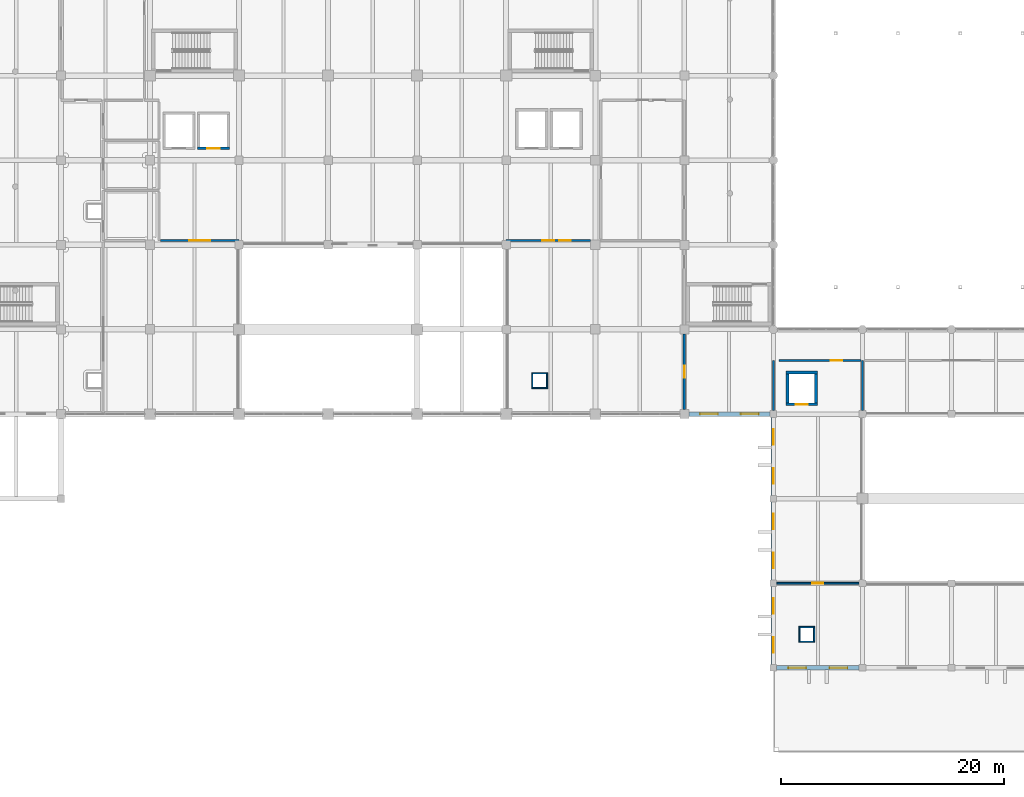
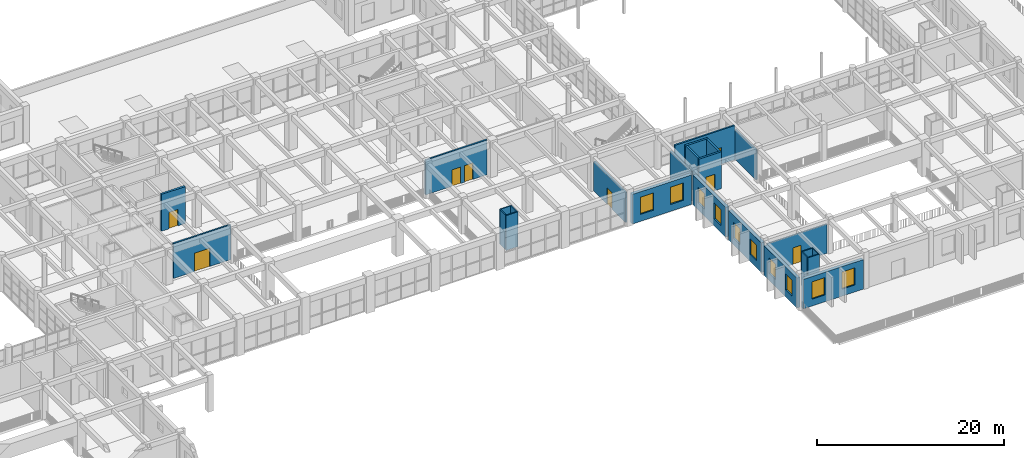
# One storey, part 74 of 101: 25 walls, 10 windows, 8 doors, 18 openings.
"""IFC4 building model written with IfcOpenShell, lengths in metres."""

from ifc_helpers import new_model, si_unit, direction, frame, frame_2d, origin, place, context, subcontext, project, spatial, rectangle, extrude, material, layer, layer_set, type_object, element, fill, save


model = new_model("IFC4")

# Units and contexts
model_context = context("Model", 3, precision=1e-05, world=origin(), true_north=direction((0.0, 1.0)))
body_context = subcontext(model_context, "Body", "Model", "MODEL_VIEW")
ifc_project = project(units=[si_unit("LENGTHUNIT", "METRE"), si_unit("AREAUNIT", "SQUARE_METRE"), si_unit("VOLUMEUNIT", "CUBIC_METRE"), si_unit("PLANEANGLEUNIT", "RADIAN"), si_unit("MASSUNIT", "GRAM", prefix="KILO")], contexts=[model_context])

# Site, building, storey
site_placement = place(None, origin())
site = spatial("IfcSite", under=ifc_project, at=site_placement, CompositionType="ELEMENT")
building_placement = place(site_placement, origin())
building = spatial("IfcBuilding", under=site, at=building_placement, Name="Zantavel Square City Hall", CompositionType="ELEMENT")
storey_placement = place(building_placement, frame((0.0, 0.0, 5.39990234375)))
storey = spatial("IfcBuildingStorey", under=building, at=storey_placement, Name="L02", CompositionType="ELEMENT", Elevation=5.39990234375)

# Wall, openings, windows
ifc_material_1 = material(Name="Cantera volcanic tuff stone", Category="masonry")
ifc_layer_1 = layer(ifc_material_1, 0.39990234375, Name="Cantera volcanic tuff stone")
ifc_layer_set_1 = layer_set([ifc_layer_1], Name="Cantera volcanic tuff stone")
wall_type_1 = type_object("IfcWallType", Name="Civic Pavilion Cantera Ashlar Wall 400mm", PredefinedType="STANDARD", material=ifc_layer_set_1)
wall_1_placement = place(storey_placement, frame((127.699951171875, 7.60009765625, 0.0), z_axis=(0.0, 0.0, 1.0), x_axis=(-1.0, 0.0, 0.0)))
wall_1 = element("IfcWall", 1, at=wall_1_placement, inside=storey, type_object=wall_type_1, Name="L02 Exterior Wall EW-L02-066", PredefinedType="STANDARD", context=body_context, shape_type="SweptSolid", body=[
    extrude(rectangle(XDim=7.39990234375, YDim=0.39990234375, at=frame_2d((3.699951171875, 0.0))), origin(), (0.0, 0.0, 1.0), 3.85009765625),
])
opening_1_placement = place(wall_1_placement, frame((1.050048828125, 0.0, 0.89990234375)))
opening_1 = element("IfcOpeningElement", 2, at=opening_1_placement, cuts=wall_1, Name="Opening W-247", PredefinedType="OPENING", context=body_context, shape_type="SweptSolid", body=[
    extrude(rectangle(XDim=1.60009765625, YDim=2.25, at=frame_2d((0.800048828125, 1.125))), frame((0.0, 0.2099609375, 0.0), z_axis=(0.0, -1.0, 0.0), x_axis=(1.0, 0.0, 0.0)), (0.0, 0.0, 1.0), 0.419921875),
])
opening_2_placement = place(wall_1_placement, frame((4.75, 0.0, 0.89990234375)))
opening_2 = element("IfcOpeningElement", 3, at=opening_2_placement, cuts=wall_1, Name="Opening W-248", PredefinedType="OPENING", context=body_context, shape_type="SweptSolid", body=[
    extrude(rectangle(XDim=1.60009765625, YDim=2.25, at=frame_2d((0.800048828125, 1.125))), frame((0.0, 0.2099609375, 0.0), z_axis=(0.0, -1.0, 0.0), x_axis=(1.0, 0.0, 0.0)), (0.0, 0.0, 1.0), 0.419921875),
])
ifc_material_2 = material(Name="Tempered safety glass low-E double glazing", Category="glass")
window_type_1 = type_object("IfcWindowType", Name="Window Mezzanine Civic 1600x2250", PartitioningType="DOUBLE_PANEL_VERTICAL", PredefinedType="WINDOW", material=ifc_material_2)
window_1_placement = place(opening_1_placement, origin())
window_1 = element("IfcWindow", 4, at=window_1_placement, inside=storey, type_object=window_type_1, Name="L02 Window W-247", OverallHeight=2.25, OverallWidth=1.60009765625, PartitioningType="DOUBLE_PANEL_VERTICAL", PredefinedType="WINDOW", context=body_context, shape_type="SweptSolid", body=[
    extrude(rectangle(XDim=1.60009765625, YDim=2.25, at=frame_2d((0.800048828125, 1.125))), frame((0.0, 0.030029296875, 0.0), z_axis=(0.0, -1.0, 0.0), x_axis=(1.0, 0.0, 0.0)), (0.0, 0.0, 1.0), 0.06005859375),
])
fill(opening_1, window_1)
window_2_placement = place(opening_2_placement, origin())
window_2 = element("IfcWindow", 5, at=window_2_placement, inside=storey, type_object=window_type_1, Name="L02 Window W-248", OverallHeight=2.25, OverallWidth=1.60009765625, PartitioningType="DOUBLE_PANEL_VERTICAL", PredefinedType="WINDOW", context=body_context, shape_type="SweptSolid", body=[
    extrude(rectangle(XDim=1.60009765625, YDim=2.25, at=frame_2d((0.800048828125, 1.125))), frame((0.0, 0.030029296875, 0.0), z_axis=(0.0, -1.0, 0.0), x_axis=(1.0, 0.0, 0.0)), (0.0, 0.0, 1.0), 0.06005859375),
])
fill(opening_2, window_2)

wall_2_placement = place(storey_placement, frame((120.0, 7.89990234375, 0.0), z_axis=(0.0, 0.0, 1.0), x_axis=(0.0, 1.0, 0.0)))
wall_2 = element("IfcWall", 6, at=wall_2_placement, inside=storey, type_object=wall_type_1, Name="L02 Exterior Wall EW-L02-067", PredefinedType="STANDARD", context=body_context, shape_type="SweptSolid", body=[
    extrude(rectangle(XDim=7.0, YDim=0.39990234375, at=frame_2d((3.5, 0.0))), origin(), (0.0, 0.0, 1.0), 3.8701171875),
])
opening_3_placement = place(wall_2_placement, frame((1.050048828125, 0.0, 0.89990234375)))
opening_3 = element("IfcOpeningElement", 7, at=opening_3_placement, cuts=wall_2, Name="Opening W-249", PredefinedType="OPENING", context=body_context, shape_type="SweptSolid", body=[
    extrude(rectangle(XDim=1.39990234375, YDim=2.050048828125, at=frame_2d((0.699951171875, 1.02490234375))), frame((0.0, 0.2099609375, 0.0), z_axis=(0.0, -1.0, 0.0), x_axis=(1.0, 0.0, 0.0)), (0.0, 0.0, 1.0), 0.419921875),
])
opening_4_placement = place(wall_2_placement, frame((4.550048828125, 0.0, 0.89990234375)))
opening_4 = element("IfcOpeningElement", 8, at=opening_4_placement, cuts=wall_2, Name="Opening W-250", PredefinedType="OPENING", context=body_context, shape_type="SweptSolid", body=[
    extrude(rectangle(XDim=1.39990234375, YDim=2.050048828125, at=frame_2d((0.699951171875, 1.02490234375))), frame((0.0, 0.2099609375, 0.0), z_axis=(0.0, -1.0, 0.0), x_axis=(1.0, 0.0, 0.0)), (0.0, 0.0, 1.0), 0.419921875),
])
window_type_2 = type_object("IfcWindowType", Name="Window Mezzanine Courtyard 1400x2050", PartitioningType="DOUBLE_PANEL_VERTICAL", PredefinedType="WINDOW", material=ifc_material_2)
window_3_placement = place(opening_3_placement, origin())
window_3 = element("IfcWindow", 9, at=window_3_placement, inside=storey, type_object=window_type_2, Name="L02 Window W-249", OverallHeight=2.050048828125, OverallWidth=1.39990234375, PartitioningType="DOUBLE_PANEL_VERTICAL", PredefinedType="WINDOW", context=body_context, shape_type="SweptSolid", body=[
    extrude(rectangle(XDim=1.39990234375, YDim=2.050048828125, at=frame_2d((0.699951171875, 1.02490234375))), frame((0.0, 0.030029296875, 0.0), z_axis=(0.0, -1.0, 0.0), x_axis=(1.0, 0.0, 0.0)), (0.0, 0.0, 1.0), 0.06005859375),
])
fill(opening_3, window_3)
window_4_placement = place(opening_4_placement, origin())
window_4 = element("IfcWindow", 10, at=window_4_placement, inside=storey, type_object=window_type_2, Name="L02 Window W-250", OverallHeight=2.050048828125, OverallWidth=1.39990234375, PartitioningType="DOUBLE_PANEL_VERTICAL", PredefinedType="WINDOW", context=body_context, shape_type="SweptSolid", body=[
    extrude(rectangle(XDim=1.39990234375, YDim=2.050048828125, at=frame_2d((0.699951171875, 1.02490234375))), frame((0.0, 0.030029296875, 0.0), z_axis=(0.0, -1.0, 0.0), x_axis=(1.0, 0.0, 0.0)), (0.0, 0.0, 1.0), 0.06005859375),
])
fill(opening_4, window_4)

wall_3_placement = place(storey_placement, frame((120.0, 15.5, 0.0), z_axis=(0.0, 0.0, 1.0), x_axis=(0.0, 1.0, 0.0)))
wall_3 = element("IfcWall", 11, at=wall_3_placement, inside=storey, type_object=wall_type_1, Name="L02 Exterior Wall EW-L02-068", PredefinedType="STANDARD", context=body_context, shape_type="SweptSolid", body=[
    extrude(rectangle(XDim=7.0, YDim=0.39990234375, at=frame_2d((3.5, 0.0))), origin(), (0.0, 0.0, 1.0), 3.8701171875),
])
opening_5_placement = place(wall_3_placement, frame((1.050048828125, 0.0, 0.89990234375)))
opening_5 = element("IfcOpeningElement", 12, at=opening_5_placement, cuts=wall_3, Name="Opening W-251", PredefinedType="OPENING", context=body_context, shape_type="SweptSolid", body=[
    extrude(rectangle(XDim=1.39990234375, YDim=2.050048828125, at=frame_2d((0.699951171875, 1.02490234375))), frame((0.0, 0.2099609375, 0.0), z_axis=(0.0, -1.0, 0.0), x_axis=(1.0, 0.0, 0.0)), (0.0, 0.0, 1.0), 0.419921875),
])
opening_6_placement = place(wall_3_placement, frame((4.550048828125, 0.0, 0.89990234375)))
opening_6 = element("IfcOpeningElement", 13, at=opening_6_placement, cuts=wall_3, Name="Opening W-252", PredefinedType="OPENING", context=body_context, shape_type="SweptSolid", body=[
    extrude(rectangle(XDim=1.39990234375, YDim=2.050048828125, at=frame_2d((0.699951171875, 1.02490234375))), frame((0.0, 0.2099609375, 0.0), z_axis=(0.0, -1.0, 0.0), x_axis=(1.0, 0.0, 0.0)), (0.0, 0.0, 1.0), 0.419921875),
])
window_5_placement = place(opening_5_placement, origin())
window_5 = element("IfcWindow", 14, at=window_5_placement, inside=storey, type_object=window_type_2, Name="L02 Window W-251", OverallHeight=2.050048828125, OverallWidth=1.39990234375, PartitioningType="DOUBLE_PANEL_VERTICAL", PredefinedType="WINDOW", context=body_context, shape_type="SweptSolid", body=[
    extrude(rectangle(XDim=1.39990234375, YDim=2.050048828125, at=frame_2d((0.699951171875, 1.02490234375))), frame((0.0, 0.030029296875, 0.0), z_axis=(0.0, -1.0, 0.0), x_axis=(1.0, 0.0, 0.0)), (0.0, 0.0, 1.0), 0.06005859375),
])
fill(opening_5, window_5)
window_6_placement = place(opening_6_placement, origin())
window_6 = element("IfcWindow", 15, at=window_6_placement, inside=storey, type_object=window_type_2, Name="L02 Window W-252", OverallHeight=2.050048828125, OverallWidth=1.39990234375, PartitioningType="DOUBLE_PANEL_VERTICAL", PredefinedType="WINDOW", context=body_context, shape_type="SweptSolid", body=[
    extrude(rectangle(XDim=1.39990234375, YDim=2.050048828125, at=frame_2d((0.699951171875, 1.02490234375))), frame((0.0, 0.030029296875, 0.0), z_axis=(0.0, -1.0, 0.0), x_axis=(1.0, 0.0, 0.0)), (0.0, 0.0, 1.0), 0.06005859375),
])
fill(opening_6, window_6)

wall_4_placement = place(storey_placement, frame((120.0, 23.10009765625, 0.0), z_axis=(0.0, 0.0, 1.0), x_axis=(0.0, 1.0, 0.0)))
wall_4 = element("IfcWall", 16, at=wall_4_placement, inside=storey, type_object=wall_type_1, Name="L02 Exterior Wall EW-L02-069", PredefinedType="STANDARD", context=body_context, shape_type="SweptSolid", body=[
    extrude(rectangle(XDim=7.0, YDim=0.39990234375, at=frame_2d((3.5, 0.0))), origin(), (0.0, 0.0, 1.0), 3.8701171875),
])
opening_7_placement = place(wall_4_placement, frame((1.050048828125, 0.0, 0.89990234375)))
opening_7 = element("IfcOpeningElement", 17, at=opening_7_placement, cuts=wall_4, Name="Opening W-253", PredefinedType="OPENING", context=body_context, shape_type="SweptSolid", body=[
    extrude(rectangle(XDim=1.39990234375, YDim=2.050048828125, at=frame_2d((0.699951171875, 1.02490234375))), frame((0.0, 0.2099609375, 0.0), z_axis=(0.0, -1.0, 0.0), x_axis=(1.0, 0.0, 0.0)), (0.0, 0.0, 1.0), 0.419921875),
])
opening_8_placement = place(wall_4_placement, frame((4.550048828125, 0.0, 0.89990234375)))
opening_8 = element("IfcOpeningElement", 18, at=opening_8_placement, cuts=wall_4, Name="Opening W-254", PredefinedType="OPENING", context=body_context, shape_type="SweptSolid", body=[
    extrude(rectangle(XDim=1.39990234375, YDim=2.050048828125, at=frame_2d((0.699951171875, 1.02490234375))), frame((0.0, 0.2099609375, 0.0), z_axis=(0.0, -1.0, 0.0), x_axis=(1.0, 0.0, 0.0)), (0.0, 0.0, 1.0), 0.419921875),
])
window_7_placement = place(opening_7_placement, origin())
window_7 = element("IfcWindow", 19, at=window_7_placement, inside=storey, type_object=window_type_2, Name="L02 Window W-253", OverallHeight=2.050048828125, OverallWidth=1.39990234375, PartitioningType="DOUBLE_PANEL_VERTICAL", PredefinedType="WINDOW", context=body_context, shape_type="SweptSolid", body=[
    extrude(rectangle(XDim=1.39990234375, YDim=2.050048828125, at=frame_2d((0.699951171875, 1.02490234375))), frame((0.0, 0.030029296875, 0.0), z_axis=(0.0, -1.0, 0.0), x_axis=(1.0, 0.0, 0.0)), (0.0, 0.0, 1.0), 0.06005859375),
])
fill(opening_7, window_7)
window_8_placement = place(opening_8_placement, origin())
window_8 = element("IfcWindow", 20, at=window_8_placement, inside=storey, type_object=window_type_2, Name="L02 Window W-254", OverallHeight=2.050048828125, OverallWidth=1.39990234375, PartitioningType="DOUBLE_PANEL_VERTICAL", PredefinedType="WINDOW", context=body_context, shape_type="SweptSolid", body=[
    extrude(rectangle(XDim=1.39990234375, YDim=2.050048828125, at=frame_2d((0.699951171875, 1.02490234375))), frame((0.0, 0.030029296875, 0.0), z_axis=(0.0, -1.0, 0.0), x_axis=(1.0, 0.0, 0.0)), (0.0, 0.0, 1.0), 0.06005859375),
])
fill(opening_8, window_8)

wall_5_placement = place(storey_placement, frame((119.699951171875, 30.39990234375, 0.0), z_axis=(0.0, 0.0, 1.0), x_axis=(-1.0, 0.0, 0.0)))
wall_5 = element("IfcWall", 21, at=wall_5_placement, inside=storey, type_object=wall_type_1, Name="L02 Exterior Wall EW-L02-070", PredefinedType="STANDARD", context=body_context, shape_type="SweptSolid", body=[
    extrude(rectangle(XDim=7.300048828125, YDim=0.39990234375, at=frame_2d((3.64990234375, 0.0))), origin(), (0.0, 0.0, 1.0), 3.85009765625),
])
opening_9_placement = place(wall_5_placement, frame((1.02490234375, 0.0, 0.89990234375)))
opening_9 = element("IfcOpeningElement", 22, at=opening_9_placement, cuts=wall_5, Name="Opening W-255", PredefinedType="OPENING", context=body_context, shape_type="SweptSolid", body=[
    extrude(rectangle(XDim=1.60009765625, YDim=2.25, at=frame_2d((0.800048828125, 1.125))), frame((0.0, 0.2099609375, 0.0), z_axis=(0.0, -1.0, 0.0), x_axis=(1.0, 0.0, 0.0)), (0.0, 0.0, 1.0), 0.419921875),
])
opening_10_placement = place(wall_5_placement, frame((4.675048828125, 0.0, 0.89990234375)))
opening_10 = element("IfcOpeningElement", 23, at=opening_10_placement, cuts=wall_5, Name="Opening W-256", PredefinedType="OPENING", context=body_context, shape_type="SweptSolid", body=[
    extrude(rectangle(XDim=1.60009765625, YDim=2.25, at=frame_2d((0.800048828125, 1.125))), frame((0.0, 0.2099609375, 0.0), z_axis=(0.0, -1.0, 0.0), x_axis=(1.0, 0.0, 0.0)), (0.0, 0.0, 1.0), 0.419921875),
])
window_9_placement = place(opening_9_placement, origin())
window_9 = element("IfcWindow", 24, at=window_9_placement, inside=storey, type_object=window_type_1, Name="L02 Window W-255", OverallHeight=2.25, OverallWidth=1.60009765625, PartitioningType="DOUBLE_PANEL_VERTICAL", PredefinedType="WINDOW", context=body_context, shape_type="SweptSolid", body=[
    extrude(rectangle(XDim=1.60009765625, YDim=2.25, at=frame_2d((0.800048828125, 1.125))), frame((0.0, 0.030029296875, 0.0), z_axis=(0.0, -1.0, 0.0), x_axis=(1.0, 0.0, 0.0)), (0.0, 0.0, 1.0), 0.06005859375),
])
fill(opening_9, window_9)
window_10_placement = place(opening_10_placement, origin())
window_10 = element("IfcWindow", 25, at=window_10_placement, inside=storey, type_object=window_type_1, Name="L02 Window W-256", OverallHeight=2.25, OverallWidth=1.60009765625, PartitioningType="DOUBLE_PANEL_VERTICAL", PredefinedType="WINDOW", context=body_context, shape_type="SweptSolid", body=[
    extrude(rectangle(XDim=1.60009765625, YDim=2.25, at=frame_2d((0.800048828125, 1.125))), frame((0.0, 0.030029296875, 0.0), z_axis=(0.0, -1.0, 0.0), x_axis=(1.0, 0.0, 0.0)), (0.0, 0.0, 1.0), 0.06005859375),
])
fill(opening_10, window_10)

# Wall
ifc_material_3 = material(Name="Gypsum acoustic stud assembly", Category="masonry")
ifc_layer_2 = layer(ifc_material_3, 0.179931640625, Name="Gypsum acoustic stud assembly")
ifc_layer_set_2 = layer_set([ifc_layer_2], Name="Gypsum acoustic stud assembly")
wall_type_2 = type_object("IfcWallType", Name="Council Acoustic Partition 180mm", PredefinedType="PARTITIONING", material=ifc_layer_set_2)
wall_6_placement = place(storey_placement, frame((128.0, 30.7099609375, 0.0), z_axis=(0.0, 0.0, 1.0), x_axis=(0.0, 1.0, 0.0)))
element("IfcWall", 26, at=wall_6_placement, inside=storey, type_object=wall_type_2, Name="L02 Interior Wall IW-L02-0183", PredefinedType="PARTITIONING", context=body_context, shape_type="SweptSolid", body=[
    extrude(rectangle(XDim=4.489990234375, YDim=0.179931640625, at=frame_2d((2.2451171875, 0.0))), origin(), (0.0, 0.0, 1.0), 3.8701171875),
])

# Wall, opening, door
ifc_layer_3 = layer(ifc_material_3, 0.14990234375, Name="Gypsum acoustic stud assembly")
ifc_layer_set_3 = layer_set([ifc_layer_3], Name="Gypsum acoustic stud assembly")
wall_type_3 = type_object("IfcWallType", Name="Department Office Partition 150mm", PredefinedType="PARTITIONING", material=ifc_layer_set_3)
wall_7_placement = place(storey_placement, frame((127.68994140625, 15.199951171875, 0.0), z_axis=(0.0, 0.0, 1.0), x_axis=(-1.0, 0.0, 0.0)))
wall_7 = element("IfcWall", 27, at=wall_7_placement, inside=storey, type_object=wall_type_3, Name="L02 Interior Wall IW-L02-0201", PredefinedType="PARTITIONING", context=body_context, shape_type="SweptSolid", body=[
    extrude(rectangle(XDim=7.3798828125, YDim=0.14990234375, at=frame_2d((3.68994140625, 0.0))), origin(), (0.0, 0.0, 1.0), 3.800048828125),
])
opening_11_placement = place(wall_7_placement, frame((3.18994140625, 0.0, 0.0)))
opening_11 = element("IfcOpeningElement", 28, at=opening_11_placement, cuts=wall_7, Name="Opening D-0111", PredefinedType="OPENING", context=body_context, shape_type="SweptSolid", body=[
    extrude(rectangle(XDim=1.0, YDim=2.14990234375, at=frame_2d((0.5, 1.074951171875))), frame((0.0, 0.0849609375, 0.0), z_axis=(0.0, -1.0, 0.0), x_axis=(1.0, 0.0, 0.0)), (0.0, 0.0, 1.0), 0.169921875),
])
ifc_material_4 = material(Name="Solid oak hardwood", Category="wood")
door_type_1 = type_object("IfcDoorType", Name="Suite Internal Oak Single Door 1000x2150", OperationType="NOTDEFINED", PredefinedType="DOOR", material=ifc_material_4)
door_1_placement = place(opening_11_placement, origin())
door_1 = element("IfcDoor", 29, at=door_1_placement, inside=storey, type_object=door_type_1, Name="L02 Citizen Hearings Mezzanine Door", OperationType="SINGLE_SWING_LEFT", OverallHeight=2.14990234375, OverallWidth=1.0, PredefinedType="DOOR", context=body_context, shape_type="SweptSolid", body=[
    extrude(rectangle(XDim=1.0, YDim=2.14990234375, at=frame_2d((0.5, 1.074951171875))), frame((0.0, 0.02490234375, 0.0), z_axis=(0.0, -1.0, 0.0), x_axis=(1.0, 0.0, 0.0)), (0.0, 0.0, 1.0), 0.050048828125),
])
fill(opening_11, door_1)

ifc_layer_4 = layer(ifc_material_1, 0.199951171875, Name="Cantera volcanic tuff stone")
ifc_layer_set_4 = layer_set([ifc_layer_4], Name="Cantera volcanic tuff stone")
wall_type_4 = type_object("IfcWallType", Name="Exit Corridor Rated Wall 200mm", PredefinedType="STANDARD", material=ifc_layer_set_4)
wall_8_placement = place(storey_placement, frame((112.0, 37.590087890625, 0.0), z_axis=(0.0, 0.0, 1.0), x_axis=(0.0, -1.0, 0.0)))
wall_8 = element("IfcWall", 30, at=wall_8_placement, inside=storey, type_object=wall_type_4, Name="L02 Interior Wall IW-L02-0195", PredefinedType="STANDARD", context=body_context, shape_type="SweptSolid", body=[
    extrude(rectangle(XDim=6.780029296875, YDim=0.199951171875, at=frame_2d((3.39013671875, 0.0))), origin(), (0.0, 0.0, 1.0), 3.8701171875),
])
opening_12_placement = place(wall_8_placement, frame((2.864990234375, 0.0, 0.0)))
opening_12 = element("IfcOpeningElement", 31, at=opening_12_placement, cuts=wall_8, Name="Opening D-0108", PredefinedType="OPENING", context=body_context, shape_type="SweptSolid", body=[
    extrude(rectangle(XDim=1.050048828125, YDim=2.14990234375, at=frame_2d((0.52490234375, 1.074951171875))), frame((0.0, 0.10986328125, 0.0), z_axis=(0.0, -1.0, 0.0), x_axis=(1.0, 0.0, 0.0)), (0.0, 0.0, 1.0), 0.219970703125),
])
door_type_2 = type_object("IfcDoorType", Name="Corridor Office Oak Fire Door 1050x2150 FD60S", OperationType="NOTDEFINED", PredefinedType="DOOR", material=ifc_material_4)
door_2_placement = place(opening_12_placement, origin())
door_2 = element("IfcDoor", 32, at=door_2_placement, inside=storey, type_object=door_type_2, Name="L02 Civic Media Production Suite Door", OperationType="SINGLE_SWING_RIGHT", OverallHeight=2.14990234375, OverallWidth=1.050048828125, PredefinedType="DOOR", context=body_context, shape_type="SweptSolid", body=[
    extrude(rectangle(XDim=1.050048828125, YDim=2.14990234375, at=frame_2d((0.52490234375, 1.074951171875))), frame((0.0, 0.02490234375, 0.0), z_axis=(0.0, -1.0, 0.0), x_axis=(1.0, 0.0, 0.0)), (0.0, 0.0, 1.0), 0.050048828125),
])
fill(opening_12, door_2)

# Wall, openings, doors
wall_9_placement = place(storey_placement, frame((96.0, 46.0, 0.0), z_axis=(0.0, 0.0, 1.0), x_axis=(1.0, 0.0, 0.0)))
wall_9 = element("IfcWall", 33, at=wall_9_placement, inside=storey, type_object=wall_type_4, Name="L02 Interior Wall IW-L02-0196", PredefinedType="STANDARD", context=body_context, shape_type="SweptSolid", body=[
    extrude(rectangle(XDim=7.56494140625, YDim=0.199951171875, at=frame_2d((3.782470703125, 0.0))), origin(), (0.0, 0.0, 1.0), 4.5400390625),
])
opening_13_placement = place(wall_9_placement, frame((3.257568359375, 0.0, 0.0)))
opening_13 = element("IfcOpeningElement", 34, at=opening_13_placement, cuts=wall_9, Name="Opening D-0087", PredefinedType="OPENING", context=body_context, shape_type="SweptSolid", body=[
    extrude(rectangle(XDim=1.050048828125, YDim=2.14990234375, at=frame_2d((0.52490234375, 1.074951171875))), frame((0.0, 0.10986328125, 0.0), z_axis=(0.0, -1.0, 0.0), x_axis=(1.0, 0.0, 0.0)), (0.0, 0.0, 1.0), 0.219970703125),
])
opening_14_placement = place(wall_9_placement, frame((4.757568359375, 0.0, 0.0)))
opening_14 = element("IfcOpeningElement", 35, at=opening_14_placement, cuts=wall_9, Name="Opening D-0109", PredefinedType="OPENING", context=body_context, shape_type="SweptSolid", body=[
    extrude(rectangle(XDim=1.050048828125, YDim=2.14990234375, at=frame_2d((0.52490234375, 1.074951171875))), frame((0.0, 0.10986328125, 0.0), z_axis=(0.0, -1.0, 0.0), x_axis=(1.0, 0.0, 0.0)), (0.0, 0.0, 1.0), 0.219970703125),
])
door_3_placement = place(opening_13_placement, origin())
door_3 = element("IfcDoor", 36, at=door_3_placement, inside=storey, type_object=door_type_2, Name="L02 Civic Media Production Suite Door", OperationType="SINGLE_SWING_LEFT", OverallHeight=2.14990234375, OverallWidth=1.050048828125, PredefinedType="DOOR", context=body_context, shape_type="SweptSolid", body=[
    extrude(rectangle(XDim=1.050048828125, YDim=2.14990234375, at=frame_2d((0.52490234375, 1.074951171875))), frame((0.0, 0.02490234375, 0.0), z_axis=(0.0, -1.0, 0.0), x_axis=(1.0, 0.0, 0.0)), (0.0, 0.0, 1.0), 0.050048828125),
])
fill(opening_13, door_3)
door_4_placement = place(opening_14_placement, origin())
door_4 = element("IfcDoor", 37, at=door_4_placement, inside=storey, type_object=door_type_2, Name="L02 Civic Media Production Suite Door", OperationType="SINGLE_SWING_LEFT", OverallHeight=2.14990234375, OverallWidth=1.050048828125, PredefinedType="DOOR", context=body_context, shape_type="SweptSolid", body=[
    extrude(rectangle(XDim=1.050048828125, YDim=2.14990234375, at=frame_2d((0.52490234375, 1.074951171875))), frame((0.0, 0.02490234375, 0.0), z_axis=(0.0, -1.0, 0.0), x_axis=(1.0, 0.0, 0.0)), (0.0, 0.0, 1.0), 0.050048828125),
])
fill(opening_14, door_4)

# Wall
wall_10_placement = place(storey_placement, frame((120.0, 30.7099609375, 0.0), z_axis=(0.0, 0.0, 1.0), x_axis=(0.0, 1.0, 0.0)))
element("IfcWall", 38, at=wall_10_placement, inside=storey, type_object=wall_type_4, Name="L02 Interior Wall IW-L02-0202", PredefinedType="STANDARD", context=body_context, shape_type="SweptSolid", body=[
    extrude(rectangle(XDim=4.489990234375, YDim=0.199951171875, at=frame_2d((2.2451171875, 0.0))), origin(), (0.0, 0.0, 1.0), 3.8701171875),
])

# Wall, opening, door
wall_11_placement = place(storey_placement, frame((120.5, 35.199951171875, 0.0), z_axis=(0.0, 0.0, 1.0), x_axis=(1.0, 0.0, 0.0)))
wall_11 = element("IfcWall", 39, at=wall_11_placement, inside=storey, type_object=wall_type_4, Name="L02 Interior Wall IW-L02-0203", PredefinedType="STANDARD", context=body_context, shape_type="SweptSolid", body=[
    extrude(rectangle(XDim=7.360107421875, YDim=0.199951171875, at=frame_2d((3.68017578125, 0.0))), origin(), (0.0, 0.0, 1.0), 4.4501953125),
])
opening_15_placement = place(wall_11_placement, frame((4.655029296875, 0.0, 0.0)))
opening_15 = element("IfcOpeningElement", 40, at=opening_15_placement, cuts=wall_11, Name="Opening D-0091", PredefinedType="OPENING", context=body_context, shape_type="SweptSolid", body=[
    extrude(rectangle(XDim=1.050048828125, YDim=2.14990234375, at=frame_2d((0.52490234375, 1.074951171875))), frame((0.0, 0.10986328125, 0.0), z_axis=(0.0, -1.0, 0.0), x_axis=(1.0, 0.0, 0.0)), (0.0, 0.0, 1.0), 0.219970703125),
])
door_5_placement = place(opening_15_placement, origin())
door_5 = element("IfcDoor", 41, at=door_5_placement, inside=storey, type_object=door_type_2, Name="L02 Taxpayer Assistance Office Door", OperationType="SINGLE_SWING_LEFT", OverallHeight=2.14990234375, OverallWidth=1.050048828125, PredefinedType="DOOR", context=body_context, shape_type="SweptSolid", body=[
    extrude(rectangle(XDim=1.050048828125, YDim=2.14990234375, at=frame_2d((0.52490234375, 1.074951171875))), frame((0.0, 0.02490234375, 0.0), z_axis=(0.0, -1.0, 0.0), x_axis=(1.0, 0.0, 0.0)), (0.0, 0.0, 1.0), 0.050048828125),
])
fill(opening_15, door_5)

wall_12_placement = place(storey_placement, frame((64.949951171875, 46.0, 0.0), z_axis=(0.0, 0.0, 1.0), x_axis=(1.0, 0.0, 0.0)))
wall_12 = element("IfcWall", 42, at=wall_12_placement, inside=storey, type_object=wall_type_4, Name="L02 Interior Wall IW-L02-0223", PredefinedType="STANDARD", context=body_context, shape_type="SweptSolid", body=[
    extrude(rectangle(XDim=7.050048828125, YDim=0.199951171875, at=frame_2d((3.52490234375, 0.0))), origin(), (0.0, 0.0, 1.0), 4.5400390625),
])
opening_16_placement = place(wall_12_placement, frame((2.574951171875, 0.0, 0.0)))
opening_16 = element("IfcOpeningElement", 43, at=opening_16_placement, cuts=wall_12, Name="Opening D-0096", PredefinedType="OPENING", context=body_context, shape_type="SweptSolid", body=[
    extrude(rectangle(XDim=1.89990234375, YDim=2.39990234375, at=frame_2d((0.949951171875, 1.199951171875))), frame((0.0, 0.10986328125, 0.0), z_axis=(0.0, -1.0, 0.0), x_axis=(1.0, 0.0, 0.0)), (0.0, 0.0, 1.0), 0.219970703125),
])
door_type_3 = type_object("IfcDoorType", Name="Civic Hall Oak Fire Double Door 1900x2400 FD60S", OperationType="NOTDEFINED", PredefinedType="DOOR", material=ifc_material_4)
door_6_placement = place(opening_16_placement, origin())
door_6 = element("IfcDoor", 44, at=door_6_placement, inside=storey, type_object=door_type_3, Name="L02 Press Briefing Room Door", OperationType="DOUBLE_DOOR_SINGLE_SWING", OverallHeight=2.39990234375, OverallWidth=1.89990234375, PredefinedType="DOOR", context=body_context, shape_type="SweptSolid", body=[
    extrude(rectangle(XDim=1.89990234375, YDim=2.39990234375, at=frame_2d((0.949951171875, 1.199951171875))), frame((0.0, 0.02490234375, 0.0), z_axis=(0.0, -1.0, 0.0), x_axis=(1.0, 0.0, 0.0)), (0.0, 0.0, 1.0), 0.050048828125),
])
fill(opening_16, door_6)

ifc_material_5 = material(Name="Concrete C40/50", Category="concrete")
ifc_layer_5 = layer(ifc_material_5, 0.25, Name="Concrete C40/50")
ifc_layer_set_5 = layer_set([ifc_layer_5], Name="Concrete C40/50")
wall_type_5 = type_object("IfcWallType", Name="Lift Shaft Wall RC 250mm C40/50", PredefinedType="SHEAR", material=ifc_layer_set_5)
wall_13_placement = place(storey_placement, frame((71.14990234375, 54.27490234375, 0.0), z_axis=(0.0, 0.0, 1.0), x_axis=(-1.0, 0.0, 0.0)))
wall_13 = element("IfcWall", 45, at=wall_13_placement, inside=storey, type_object=wall_type_5, Name="L02 Lift LF02 Shaft Wall South", PredefinedType="SHEAR", context=body_context, shape_type="SweptSolid", body=[
    extrude(rectangle(XDim=2.89990234375, YDim=0.25, at=frame_2d((1.449951171875, 0.0))), origin(), (0.0, 0.0, 1.0), 4.800048828125),
])
opening_17_placement = place(wall_13_placement, frame((0.89990234375, 0.0, 0.0)))
opening_17 = element("IfcOpeningElement", 46, at=opening_17_placement, cuts=wall_13, Name="Opening LD-LF02-L02", PredefinedType="OPENING", context=body_context, shape_type="SweptSolid", body=[
    extrude(rectangle(XDim=1.10009765625, YDim=2.14990234375, at=frame_2d((0.550048828125, 1.074951171875))), frame((0.0, 0.135009765625, 0.0), z_axis=(0.0, -1.0, 0.0), x_axis=(1.0, 0.0, 0.0)), (0.0, 0.0, 1.0), 0.27001953125),
])
ifc_material_6 = material(Name="Stainless steel 316", Category="steel")
door_type_4 = type_object("IfcDoorType", Name="Lift Landing Sliding Door 1100x2150 FD90S", OperationType="NOTDEFINED", PredefinedType="DOOR", material=ifc_material_6)
door_7_placement = place(opening_17_placement, origin())
door_7 = element("IfcDoor", 47, at=door_7_placement, inside=storey, type_object=door_type_4, Name="L02 Lift LF02 Sliding Landing Door", OperationType="DOUBLE_DOOR_SLIDING", OverallHeight=2.14990234375, OverallWidth=1.10009765625, PredefinedType="DOOR", context=body_context, shape_type="SweptSolid", body=[
    extrude(rectangle(XDim=1.10009765625, YDim=2.14990234375, at=frame_2d((0.550048828125, 1.074951171875))), frame((0.0, 0.02490234375, 0.0), z_axis=(0.0, -1.0, 0.0), x_axis=(1.0, 0.0, 0.0)), (0.0, 0.0, 1.0), 0.050048828125),
])
fill(opening_17, door_7)

wall_14_placement = place(storey_placement, frame((123.949951171875, 31.27490234375, 0.0), z_axis=(0.0, 0.0, 1.0), x_axis=(-1.0, 0.0, 0.0)))
wall_14 = element("IfcWall", 48, at=wall_14_placement, inside=storey, type_object=wall_type_5, Name="L02 Lift LF07 Shaft Wall South", PredefinedType="SHEAR", context=body_context, shape_type="SweptSolid", body=[
    extrude(rectangle(XDim=2.800048828125, YDim=0.25, at=frame_2d((1.39990234375, 0.0))), origin(), (0.0, 0.0, 1.0), 4.800048828125),
])
opening_18_placement = place(wall_14_placement, frame((0.85009765625, 0.0, 0.0)))
opening_18 = element("IfcOpeningElement", 49, at=opening_18_placement, cuts=wall_14, Name="Opening LD-LF07-L02", PredefinedType="OPENING", context=body_context, shape_type="SweptSolid", body=[
    extrude(rectangle(XDim=1.10009765625, YDim=2.14990234375, at=frame_2d((0.550048828125, 1.074951171875))), frame((0.0, 0.135009765625, 0.0), z_axis=(0.0, -1.0, 0.0), x_axis=(1.0, 0.0, 0.0)), (0.0, 0.0, 1.0), 0.27001953125),
])
door_8_placement = place(opening_18_placement, origin())
door_8 = element("IfcDoor", 50, at=door_8_placement, inside=storey, type_object=door_type_4, Name="L02 Lift LF07 Sliding Landing Door", OperationType="DOUBLE_DOOR_SLIDING", OverallHeight=2.14990234375, OverallWidth=1.10009765625, PredefinedType="DOOR", context=body_context, shape_type="SweptSolid", body=[
    extrude(rectangle(XDim=1.10009765625, YDim=2.14990234375, at=frame_2d((0.550048828125, 1.074951171875))), frame((0.0, 0.02490234375, 0.0), z_axis=(0.0, -1.0, 0.0), x_axis=(1.0, 0.0, 0.0)), (0.0, 0.0, 1.0), 0.050048828125),
])
fill(opening_18, door_8)

# Walls
wall_15_placement = place(storey_placement, frame((121.27490234375, 31.39990234375, 0.0), z_axis=(0.0, 0.0, 1.0), x_axis=(0.0, 1.0, 0.0)))
element("IfcWall", 51, at=wall_15_placement, inside=storey, type_object=wall_type_5, Name="L02 Lift LF07 Shaft Wall West", PredefinedType="SHEAR", context=body_context, shape_type="SweptSolid", body=[
    extrude(rectangle(XDim=2.60009765625, YDim=0.25, at=frame_2d((1.300048828125, 0.0))), origin(), (0.0, 0.0, 1.0), 4.800048828125),
])
wall_16_placement = place(storey_placement, frame((121.14990234375, 34.125, 0.0), z_axis=(0.0, 0.0, 1.0), x_axis=(1.0, 0.0, 0.0)))
element("IfcWall", 52, at=wall_16_placement, inside=storey, type_object=wall_type_5, Name="L02 Lift LF07 Shaft Wall North", PredefinedType="SHEAR", context=body_context, shape_type="SweptSolid", body=[
    extrude(rectangle(XDim=2.800048828125, YDim=0.25, at=frame_2d((1.39990234375, 0.0))), origin(), (0.0, 0.0, 1.0), 4.800048828125),
])
wall_17_placement = place(storey_placement, frame((123.824951171875, 34.0, 0.0), z_axis=(0.0, 0.0, 1.0), x_axis=(0.0, -1.0, 0.0)))
element("IfcWall", 53, at=wall_17_placement, inside=storey, type_object=wall_type_5, Name="L02 Lift LF07 Shaft Wall East", PredefinedType="SHEAR", context=body_context, shape_type="SweptSolid", body=[
    extrude(rectangle(XDim=2.60009765625, YDim=0.25, at=frame_2d((1.300048828125, 0.0))), origin(), (0.0, 0.0, 1.0), 4.800048828125),
])
ifc_material_7 = material(Name="Concrete C35/45", Category="concrete")
ifc_layer_6 = layer(ifc_material_7, 0.1201171875, Name="Concrete C35/45")
ifc_layer_set_6 = layer_set([ifc_layer_6], Name="Concrete C35/45")
wall_type_6 = type_object("IfcWallType", Name="Riser Chase Wall RC 120mm C35/45", PredefinedType="PARTITIONING", material=ifc_layer_set_6)
wall_18_placement = place(storey_placement, frame((99.719970703125, 32.739990234375, 0.0), z_axis=(0.0, 0.0, 1.0), x_axis=(-1.0, 0.0, 0.0)))
element("IfcWall", 54, at=wall_18_placement, inside=storey, type_object=wall_type_6, Name="L02 MEP Riser 02 Wall S", PredefinedType="PARTITIONING", context=body_context, shape_type="SweptSolid", body=[
    extrude(rectangle(XDim=1.43994140625, YDim=0.1201171875, at=frame_2d((0.719970703125, 0.0))), origin(), (0.0, 0.0, 1.0), 4.5400390625),
])
wall_19_placement = place(storey_placement, frame((98.340087890625, 32.800048828125, 0.0), z_axis=(0.0, 0.0, 1.0), x_axis=(0.0, 1.0, 0.0)))
element("IfcWall", 55, at=wall_19_placement, inside=storey, type_object=wall_type_6, Name="L02 MEP Riser 02 Wall W", PredefinedType="PARTITIONING", context=body_context, shape_type="SweptSolid", body=[
    extrude(rectangle(XDim=1.199951171875, YDim=0.1201171875, at=frame_2d((0.60009765625, 0.0))), origin(), (0.0, 0.0, 1.0), 4.5400390625),
])
wall_20_placement = place(storey_placement, frame((98.280029296875, 34.06005859375, 0.0), z_axis=(0.0, 0.0, 1.0), x_axis=(1.0, 0.0, 0.0)))
element("IfcWall", 56, at=wall_20_placement, inside=storey, type_object=wall_type_6, Name="L02 MEP Riser 02 Wall N", PredefinedType="PARTITIONING", context=body_context, shape_type="SweptSolid", body=[
    extrude(rectangle(XDim=1.43994140625, YDim=0.1201171875, at=frame_2d((0.719970703125, 0.0))), origin(), (0.0, 0.0, 1.0), 4.5400390625),
])
wall_21_placement = place(storey_placement, frame((99.659912109375, 34.0, 0.0), z_axis=(0.0, 0.0, 1.0), x_axis=(0.0, -1.0, 0.0)))
element("IfcWall", 57, at=wall_21_placement, inside=storey, type_object=wall_type_6, Name="L02 MEP Riser 02 Wall E", PredefinedType="PARTITIONING", context=body_context, shape_type="SweptSolid", body=[
    extrude(rectangle(XDim=1.199951171875, YDim=0.1201171875, at=frame_2d((0.60009765625, 0.0))), origin(), (0.0, 0.0, 1.0), 4.5400390625),
])
wall_22_placement = place(storey_placement, frame((123.719970703125, 9.93994140625, 0.0), z_axis=(0.0, 0.0, 1.0), x_axis=(-1.0, 0.0, 0.0)))
element("IfcWall", 58, at=wall_22_placement, inside=storey, type_object=wall_type_6, Name="L02 MEP Riser 04 Wall S", PredefinedType="PARTITIONING", context=body_context, shape_type="SweptSolid", body=[
    extrude(rectangle(XDim=1.43994140625, YDim=0.1201171875, at=frame_2d((0.719970703125, 0.0))), origin(), (0.0, 0.0, 1.0), 4.4501953125),
])
wall_23_placement = place(storey_placement, frame((122.340087890625, 10.0, 0.0), z_axis=(0.0, 0.0, 1.0), x_axis=(0.0, 1.0, 0.0)))
element("IfcWall", 59, at=wall_23_placement, inside=storey, type_object=wall_type_6, Name="L02 MEP Riser 04 Wall W", PredefinedType="PARTITIONING", context=body_context, shape_type="SweptSolid", body=[
    extrude(rectangle(XDim=1.199951171875, YDim=0.1201171875, at=frame_2d((0.60009765625, 0.0))), origin(), (0.0, 0.0, 1.0), 4.4501953125),
])
wall_24_placement = place(storey_placement, frame((122.280029296875, 11.260009765625, 0.0), z_axis=(0.0, 0.0, 1.0), x_axis=(1.0, 0.0, 0.0)))
element("IfcWall", 60, at=wall_24_placement, inside=storey, type_object=wall_type_6, Name="L02 MEP Riser 04 Wall N", PredefinedType="PARTITIONING", context=body_context, shape_type="SweptSolid", body=[
    extrude(rectangle(XDim=1.43994140625, YDim=0.1201171875, at=frame_2d((0.719970703125, 0.0))), origin(), (0.0, 0.0, 1.0), 4.4501953125),
])
wall_25_placement = place(storey_placement, frame((123.659912109375, 11.199951171875, 0.0), z_axis=(0.0, 0.0, 1.0), x_axis=(0.0, -1.0, 0.0)))
element("IfcWall", 61, at=wall_25_placement, inside=storey, type_object=wall_type_6, Name="L02 MEP Riser 04 Wall E", PredefinedType="PARTITIONING", context=body_context, shape_type="SweptSolid", body=[
    extrude(rectangle(XDim=1.199951171875, YDim=0.1201171875, at=frame_2d((0.60009765625, 0.0))), origin(), (0.0, 0.0, 1.0), 4.4501953125),
])

save(model, "model.ifc")
